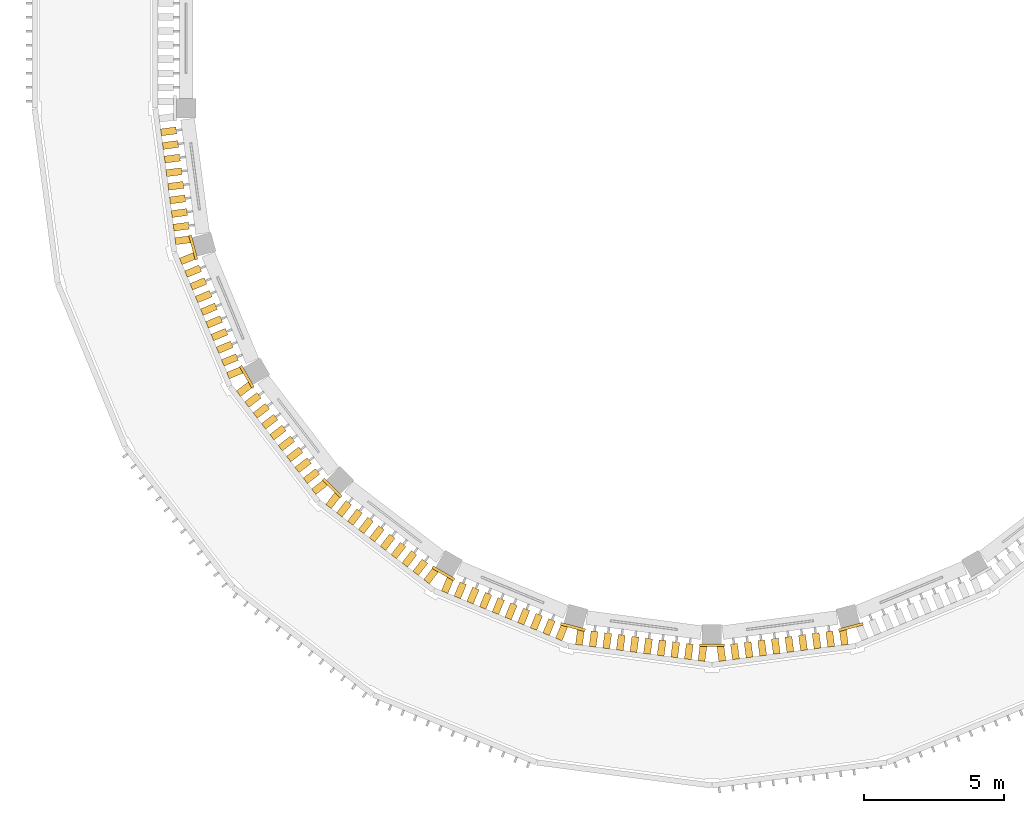
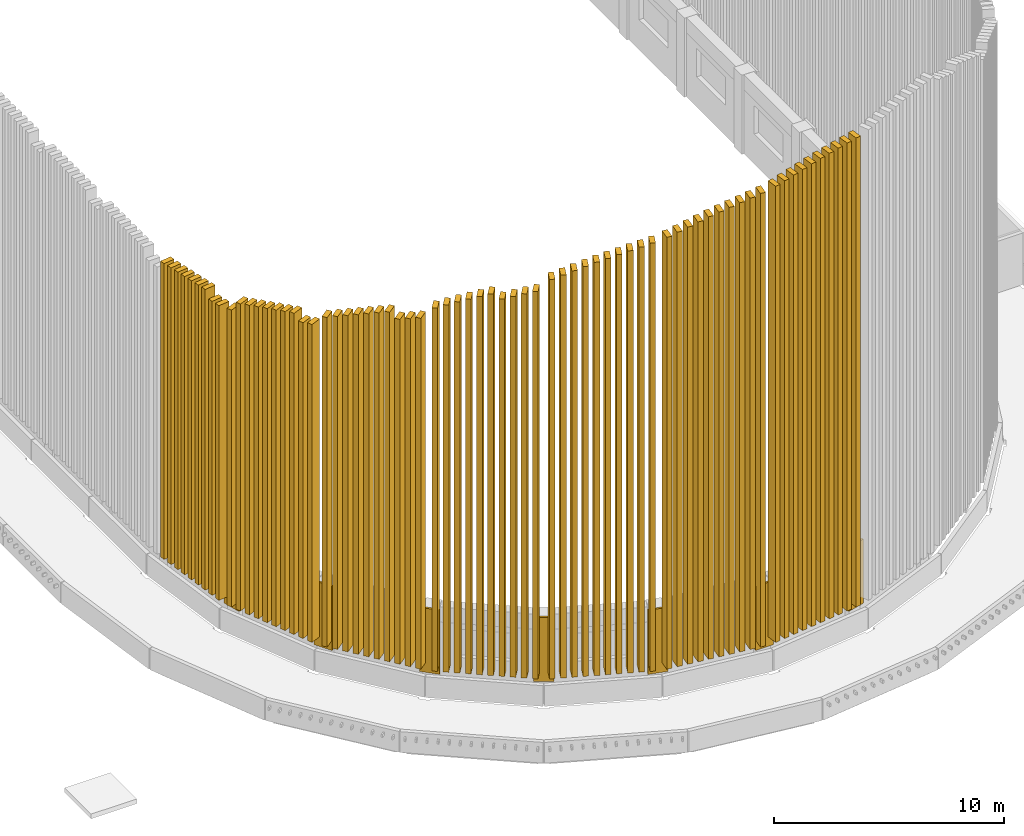
# One storey, part 52 of 68: 76 coverings.
"""IFC4 building model written with IfcOpenShell, lengths in metres."""

from ifc_helpers import new_model, si_unit, direction, frame, origin, origin_2d, place, context, subcontext, project, spatial, rectangle, extrude, material, layer, layer_set, type_object, element, save


model = new_model("IFC4")

# Units and contexts
model_context = context("Model", 3, precision=1e-05, world=origin(), true_north=direction((0.0, 1.0)))
body_context = subcontext(model_context, "Body", "Model", "MODEL_VIEW")
ifc_project = project(units=[si_unit("LENGTHUNIT", "METRE"), si_unit("AREAUNIT", "SQUARE_METRE"), si_unit("VOLUMEUNIT", "CUBIC_METRE"), si_unit("PLANEANGLEUNIT", "RADIAN"), si_unit("MASSUNIT", "GRAM", prefix="KILO")], contexts=[model_context])

# Site, building, storey
site_placement = place(None, origin())
site = spatial("IfcSite", under=ifc_project, at=site_placement, CompositionType="ELEMENT")
building_placement = place(site_placement, origin())
building = spatial("IfcBuilding", under=site, at=building_placement, Name="Wasatch Bagh Community Centre", CompositionType="ELEMENT")
storey_placement = place(building_placement, frame((0.0, 0.0, 8.39990234375)))
storey = spatial("IfcBuildingStorey", under=building, at=storey_placement, Name="L02", CompositionType="ELEMENT", Elevation=8.39990234375)

# Coverings
ifc_material = material(Name="White precast concrete C40/50", Category="concrete")
ifc_layer_1 = layer(ifc_material, 0.10009765625)
ifc_layer_set_1 = layer_set([ifc_layer_1], Name="White precast concrete C40/50")
covering_type_1 = type_object("IfcCoveringType", Name="MH column casing", PredefinedType="CLADDING", material=ifc_layer_set_1)
for number, where, z_axis, x_axis, name in (
    (1, (17.50244140625, 30.043701171875, 0.800048828125), (0.0, 0.0, 1.0), (0.258819045103, -0.965925826289, 0.0), "Column casing S1 L02"),
    (2, (19.41552734375, 25.425048828125, 0.800048828125), (0.0, 0.0, 1.0), (0.5, -0.866025403784, 0.0), "Column casing S2 L02"),
    (3, (22.458984375, 21.458984375, 0.800048828125), (0.0, 0.0, 1.0), (0.707106781187, -0.707106781187, 0.0), "Column casing S3 L02"),
    (4, (26.425048828125, 18.41552734375, 0.800048828125), (0.0, 0.0, 1.0), (0.866025403784, -0.5, 0.0), "Column casing S4 L02"),
    (5, (31.043701171875, 16.50244140625, 0.800048828125), (0.0, 0.0, 1.0), (0.965925826289, -0.258819045103, 0.0), "Column casing S5 L02"),
    (6, (36.0, 15.85009765625, 0.800048828125), (0.0, 0.0, 1.0), (1.0, 0.0, 0.0), "Column casing S6 L02"),
    (7, (40.956298828125, 16.50244140625, 0.800048828125), (0.0, 0.0, 1.0), (0.965925826289, 0.258819045103, 0.0), "Column casing S7 L02"),
):
    element("IfcCovering", number, at=place(storey_placement, frame(where, z_axis=z_axis, x_axis=x_axis)), inside=storey, type_object=covering_type_1, Name=name, PredefinedType="CLADDING", context=body_context, shape_type="SweptSolid", body=[
        extrude(rectangle(XDim=0.89990234375, YDim=0.10009765625, at=origin_2d()), origin(), (0.0, 0.0, 1.0), 3.39990234375),
    ])
ifc_layer_2 = layer(ifc_material, 0.25)
ifc_layer_set_2 = layer_set([ifc_layer_2], Name="White precast concrete C40/50")
covering_type_2 = type_object("IfcCoveringType", Name="MH vertical fin", PredefinedType="CLADDING", material=ifc_layer_set_2)
covering_1_placement = place(storey_placement, frame((16.626953125, 34.177490234375, 1.300048828125), z_axis=(0.0, 0.0, 1.0), x_axis=(0.13052619222, -0.991444861374, 0.0)))
element("IfcCovering", 8, at=covering_1_placement, inside=storey, type_object=covering_type_2, Name="Fin 1.2", PredefinedType="CLADDING", context=body_context, shape_type="SweptSolid", body=[
    extrude(rectangle(XDim=0.25, YDim=0.550048828125, at=origin_2d()), origin(), (0.0, 0.0, 1.0), 15.701171875),
])
covering_2_placement = place(storey_placement, frame((16.69091796875, 33.692138671875, 1.300048828125), z_axis=(0.0, 0.0, 1.0), x_axis=(0.13052619222, -0.991444861374, 0.0)))
element("IfcCovering", 9, at=covering_2_placement, inside=storey, type_object=covering_type_2, Name="Fin 1.3", PredefinedType="CLADDING", context=body_context, shape_type="SweptSolid", body=[
    extrude(rectangle(XDim=0.25, YDim=0.550048828125, at=origin_2d()), origin(), (0.0, 0.0, 1.0), 15.744140625),
])
covering_3_placement = place(storey_placement, frame((16.7548828125, 33.206787109375, 1.30029296875), z_axis=(0.0, 0.0, 1.0), x_axis=(0.13052619222, -0.991444861374, 0.0)))
element("IfcCovering", 10, at=covering_3_placement, inside=storey, type_object=covering_type_2, Name="Fin 1.4", PredefinedType="CLADDING", context=body_context, shape_type="SweptSolid", body=[
    extrude(rectangle(XDim=0.25, YDim=0.550048828125, at=origin_2d()), origin(), (0.0, 0.0, 1.0), 15.787353515625),
])
covering_4_placement = place(storey_placement, frame((16.818603515625, 32.7216796875, 1.300048828125), z_axis=(0.0, 0.0, 1.0), x_axis=(0.13052619222, -0.991444861374, 0.0)))
element("IfcCovering", 11, at=covering_4_placement, inside=storey, type_object=covering_type_2, Name="Fin 1.5", PredefinedType="CLADDING", context=body_context, shape_type="SweptSolid", body=[
    extrude(rectangle(XDim=0.25, YDim=0.550048828125, at=origin_2d()), origin(), (0.0, 0.0, 1.0), 15.83056640625),
])
covering_5_placement = place(storey_placement, frame((16.882568359375, 32.236328125, 1.300048828125), z_axis=(0.0, 0.0, 1.0), x_axis=(0.13052619222, -0.991444861374, 0.0)))
element("IfcCovering", 12, at=covering_5_placement, inside=storey, type_object=covering_type_2, Name="Fin 1.6", PredefinedType="CLADDING", context=body_context, shape_type="SweptSolid", body=[
    extrude(rectangle(XDim=0.25, YDim=0.550048828125, at=origin_2d()), origin(), (0.0, 0.0, 1.0), 15.87353515625),
])
covering_6_placement = place(storey_placement, frame((16.946533203125, 31.7509765625, 1.30029296875), z_axis=(0.0, 0.0, 1.0), x_axis=(0.13052619222, -0.991444861374, 0.0)))
element("IfcCovering", 13, at=covering_6_placement, inside=storey, type_object=covering_type_2, Name="Fin 1.7", PredefinedType="CLADDING", context=body_context, shape_type="SweptSolid", body=[
    extrude(rectangle(XDim=0.25, YDim=0.550048828125, at=origin_2d()), origin(), (0.0, 0.0, 1.0), 15.916748046875),
])
covering_7_placement = place(storey_placement, frame((17.01025390625, 31.265625, 1.300048828125), z_axis=(0.0, 0.0, 1.0), x_axis=(0.13052619222, -0.991444861374, 0.0)))
element("IfcCovering", 14, at=covering_7_placement, inside=storey, type_object=covering_type_2, Name="Fin 1.8", PredefinedType="CLADDING", context=body_context, shape_type="SweptSolid", body=[
    extrude(rectangle(XDim=0.25, YDim=0.550048828125, at=origin_2d()), origin(), (0.0, 0.0, 1.0), 15.9599609375),
])
covering_8_placement = place(storey_placement, frame((17.07421875, 30.780517578125, 1.30029296875), z_axis=(0.0, 0.0, 1.0), x_axis=(0.13052619222, -0.991444861374, 0.0)))
element("IfcCovering", 15, at=covering_8_placement, inside=storey, type_object=covering_type_2, Name="Fin 1.9", PredefinedType="CLADDING", context=body_context, shape_type="SweptSolid", body=[
    extrude(rectangle(XDim=0.25, YDim=0.550048828125, at=origin_2d()), origin(), (0.0, 0.0, 1.0), 15.597412109375),
])
covering_9_placement = place(storey_placement, frame((17.13818359375, 30.295166015625, 1.300048828125), z_axis=(0.0, 0.0, 1.0), x_axis=(0.13052619222, -0.991444861374, 0.0)))
element("IfcCovering", 16, at=covering_9_placement, inside=storey, type_object=covering_type_2, Name="Fin 1.10", PredefinedType="CLADDING", context=body_context, shape_type="SweptSolid", body=[
    extrude(rectangle(XDim=0.25, YDim=0.550048828125, at=origin_2d()), origin(), (0.0, 0.0, 1.0), 15.640625),
])
covering_10_placement = place(storey_placement, frame((17.312744140625, 29.6435546875, 1.2998046875), z_axis=(0.0, 0.0, 1.0), x_axis=(0.382683432365, -0.923879532511, 0.0)))
element("IfcCovering", 17, at=covering_10_placement, inside=storey, type_object=covering_type_2, Name="Fin 2.1", PredefinedType="CLADDING", context=body_context, shape_type="SweptSolid", body=[
    extrude(rectangle(XDim=0.25, YDim=0.550048828125, at=origin_2d()), origin(), (0.0, 0.0, 1.0), 15.758544921875),
])
covering_11_placement = place(storey_placement, frame((17.5, 29.19140625, 1.300048828125), z_axis=(0.0, 0.0, 1.0), x_axis=(0.382683432365, -0.923879532511, 0.0)))
element("IfcCovering", 18, at=covering_11_placement, inside=storey, type_object=covering_type_2, Name="Fin 2.2", PredefinedType="CLADDING", context=body_context, shape_type="SweptSolid", body=[
    extrude(rectangle(XDim=0.25, YDim=0.550048828125, at=origin_2d()), origin(), (0.0, 0.0, 1.0), 16.29052734375),
])
covering_12_placement = place(storey_placement, frame((17.687255859375, 28.7392578125, 1.300048828125), z_axis=(0.0, 0.0, 1.0), x_axis=(0.382683432365, -0.923879532511, 0.0)))
element("IfcCovering", 19, at=covering_12_placement, inside=storey, type_object=covering_type_2, Name="Fin 2.3", PredefinedType="CLADDING", context=body_context, shape_type="SweptSolid", body=[
    extrude(rectangle(XDim=0.25, YDim=0.550048828125, at=origin_2d()), origin(), (0.0, 0.0, 1.0), 16.4169921875),
])
covering_13_placement = place(storey_placement, frame((17.874755859375, 28.286865234375, 1.300048828125), z_axis=(0.0, 0.0, 1.0), x_axis=(0.382683432365, -0.923879532511, 0.0)))
element("IfcCovering", 20, at=covering_13_placement, inside=storey, type_object=covering_type_2, Name="Fin 2.4", PredefinedType="CLADDING", context=body_context, shape_type="SweptSolid", body=[
    extrude(rectangle(XDim=0.25, YDim=0.550048828125, at=origin_2d()), origin(), (0.0, 0.0, 1.0), 16.54345703125),
])
covering_14_placement = place(storey_placement, frame((18.06201171875, 27.834716796875, 1.300048828125), z_axis=(0.0, 0.0, 1.0), x_axis=(0.382683432365, -0.923879532511, 0.0)))
element("IfcCovering", 21, at=covering_14_placement, inside=storey, type_object=covering_type_2, Name="Fin 2.5", PredefinedType="CLADDING", context=body_context, shape_type="SweptSolid", body=[
    extrude(rectangle(XDim=0.25, YDim=0.550048828125, at=origin_2d()), origin(), (0.0, 0.0, 1.0), 16.669921875),
])
covering_15_placement = place(storey_placement, frame((18.249267578125, 27.382568359375, 1.300048828125), z_axis=(0.0, 0.0, 1.0), x_axis=(0.382683432365, -0.923879532511, 0.0)))
element("IfcCovering", 22, at=covering_15_placement, inside=storey, type_object=covering_type_2, Name="Fin 2.6", PredefinedType="CLADDING", context=body_context, shape_type="SweptSolid", body=[
    extrude(rectangle(XDim=0.25, YDim=0.550048828125, at=origin_2d()), origin(), (0.0, 0.0, 1.0), 16.79638671875),
])
covering_16_placement = place(storey_placement, frame((18.4365234375, 26.930419921875, 1.300048828125), z_axis=(0.0, 0.0, 1.0), x_axis=(0.382683432365, -0.923879532511, 0.0)))
element("IfcCovering", 23, at=covering_16_placement, inside=storey, type_object=covering_type_2, Name="Fin 2.7", PredefinedType="CLADDING", context=body_context, shape_type="SweptSolid", body=[
    extrude(rectangle(XDim=0.25, YDim=0.550048828125, at=origin_2d()), origin(), (0.0, 0.0, 1.0), 16.9228515625),
])
covering_17_placement = place(storey_placement, frame((18.6240234375, 26.47802734375, 1.300048828125), z_axis=(0.0, 0.0, 1.0), x_axis=(0.382683432365, -0.923879532511, 0.0)))
element("IfcCovering", 24, at=covering_17_placement, inside=storey, type_object=covering_type_2, Name="Fin 2.8", PredefinedType="CLADDING", context=body_context, shape_type="SweptSolid", body=[
    extrude(rectangle(XDim=0.25, YDim=0.550048828125, at=origin_2d()), origin(), (0.0, 0.0, 1.0), 17.04931640625),
])
covering_18_placement = place(storey_placement, frame((18.811279296875, 26.02587890625, 1.300048828125), z_axis=(0.0, 0.0, 1.0), x_axis=(0.382683432365, -0.923879532511, 0.0)))
element("IfcCovering", 25, at=covering_18_placement, inside=storey, type_object=covering_type_2, Name="Fin 2.9", PredefinedType="CLADDING", context=body_context, shape_type="SweptSolid", body=[
    extrude(rectangle(XDim=0.25, YDim=0.550048828125, at=origin_2d()), origin(), (0.0, 0.0, 1.0), 16.76025390625),
])
covering_19_placement = place(storey_placement, frame((18.99853515625, 25.57373046875, 1.300048828125), z_axis=(0.0, 0.0, 1.0), x_axis=(0.382683432365, -0.923879532511, 0.0)))
element("IfcCovering", 26, at=covering_19_placement, inside=storey, type_object=covering_type_2, Name="Fin 2.10", PredefinedType="CLADDING", context=body_context, shape_type="SweptSolid", body=[
    extrude(rectangle(XDim=0.25, YDim=0.550048828125, at=origin_2d()), origin(), (0.0, 0.0, 1.0), 16.873046875),
])
covering_20_placement = place(storey_placement, frame((19.3359375, 24.989501953125, 1.300048828125), z_axis=(0.0, 0.0, 1.0), x_axis=(0.608761429009, -0.793353340291, 0.0)))
element("IfcCovering", 27, at=covering_20_placement, inside=storey, type_object=covering_type_2, Name="Fin 3.1", PredefinedType="CLADDING", context=body_context, shape_type="SweptSolid", body=[
    extrude(rectangle(XDim=0.25, YDim=0.550048828125, at=origin_2d()), origin(), (0.0, 0.0, 1.0), 17.48193359375),
])
covering_21_placement = place(storey_placement, frame((19.6337890625, 24.60107421875, 1.30029296875), z_axis=(0.0, 0.0, 1.0), x_axis=(0.608761429009, -0.793353340291, 0.0)))
element("IfcCovering", 28, at=covering_21_placement, inside=storey, type_object=covering_type_2, Name="Fin 3.2", PredefinedType="CLADDING", context=body_context, shape_type="SweptSolid", body=[
    extrude(rectangle(XDim=0.25, YDim=0.550048828125, at=origin_2d()), origin(), (0.0, 0.0, 1.0), 17.661376953125),
])
covering_22_placement = place(storey_placement, frame((19.931884765625, 24.212890625, 1.300048828125), z_axis=(0.0, 0.0, 1.0), x_axis=(0.608761429009, -0.793353340291, 0.0)))
element("IfcCovering", 29, at=covering_22_placement, inside=storey, type_object=covering_type_2, Name="Fin 3.3", PredefinedType="CLADDING", context=body_context, shape_type="SweptSolid", body=[
    extrude(rectangle(XDim=0.25, YDim=0.550048828125, at=origin_2d()), origin(), (0.0, 0.0, 1.0), 17.8408203125),
])
covering_23_placement = place(storey_placement, frame((20.229736328125, 23.824462890625, 1.300048828125), z_axis=(0.0, 0.0, 1.0), x_axis=(0.608761429009, -0.793353340291, 0.0)))
element("IfcCovering", 30, at=covering_23_placement, inside=storey, type_object=covering_type_2, Name="Fin 3.4", PredefinedType="CLADDING", context=body_context, shape_type="SweptSolid", body=[
    extrude(rectangle(XDim=0.25, YDim=0.550048828125, at=origin_2d()), origin(), (0.0, 0.0, 1.0), 18.0205078125),
])
covering_24_placement = place(storey_placement, frame((20.52783203125, 23.436279296875, 1.30029296875), z_axis=(0.0, 0.0, 1.0), x_axis=(0.608761429009, -0.793353340291, 0.0)))
element("IfcCovering", 31, at=covering_24_placement, inside=storey, type_object=covering_type_2, Name="Fin 3.5", PredefinedType="CLADDING", context=body_context, shape_type="SweptSolid", body=[
    extrude(rectangle(XDim=0.25, YDim=0.550048828125, at=origin_2d()), origin(), (0.0, 0.0, 1.0), 18.199951171875),
])
covering_25_placement = place(storey_placement, frame((20.82568359375, 23.0478515625, 1.300048828125), z_axis=(0.0, 0.0, 1.0), x_axis=(0.608761429009, -0.793353340291, 0.0)))
element("IfcCovering", 32, at=covering_25_placement, inside=storey, type_object=covering_type_2, Name="Fin 3.6", PredefinedType="CLADDING", context=body_context, shape_type="SweptSolid", body=[
    extrude(rectangle(XDim=0.25, YDim=0.550048828125, at=origin_2d()), origin(), (0.0, 0.0, 1.0), 18.37939453125),
])
covering_26_placement = place(storey_placement, frame((21.123779296875, 22.659423828125, 1.300048828125), z_axis=(0.0, 0.0, 1.0), x_axis=(0.608761429009, -0.793353340291, 0.0)))
element("IfcCovering", 33, at=covering_26_placement, inside=storey, type_object=covering_type_2, Name="Fin 3.7", PredefinedType="CLADDING", context=body_context, shape_type="SweptSolid", body=[
    extrude(rectangle(XDim=0.25, YDim=0.550048828125, at=origin_2d()), origin(), (0.0, 0.0, 1.0), 18.548828125),
])
covering_27_placement = place(storey_placement, frame((21.421630859375, 22.271240234375, 1.300048828125), z_axis=(0.0, 0.0, 1.0), x_axis=(0.608761429009, -0.793353340291, 0.0)))
element("IfcCovering", 34, at=covering_27_placement, inside=storey, type_object=covering_type_2, Name="Fin 3.8", PredefinedType="CLADDING", context=body_context, shape_type="SweptSolid", body=[
    extrude(rectangle(XDim=0.25, YDim=0.550048828125, at=origin_2d()), origin(), (0.0, 0.0, 1.0), 18.30224609375),
])
covering_28_placement = place(storey_placement, frame((21.7197265625, 21.8828125, 1.300048828125), z_axis=(0.0, 0.0, 1.0), x_axis=(0.608761429009, -0.793353340291, 0.0)))
element("IfcCovering", 35, at=covering_28_placement, inside=storey, type_object=covering_type_2, Name="Fin 3.9", PredefinedType="CLADDING", context=body_context, shape_type="SweptSolid", body=[
    extrude(rectangle(XDim=0.25, YDim=0.550048828125, at=origin_2d()), origin(), (0.0, 0.0, 1.0), 18.46142578125),
])
covering_29_placement = place(storey_placement, frame((22.017578125, 21.49462890625, 1.300048828125), z_axis=(0.0, 0.0, 1.0), x_axis=(0.608761429009, -0.793353340291, 0.0)))
element("IfcCovering", 36, at=covering_29_placement, inside=storey, type_object=covering_type_2, Name="Fin 3.10", PredefinedType="CLADDING", context=body_context, shape_type="SweptSolid", body=[
    extrude(rectangle(XDim=0.25, YDim=0.550048828125, at=origin_2d()), origin(), (0.0, 0.0, 1.0), 18.62060546875),
])
covering_30_placement = place(storey_placement, frame((22.49462890625, 21.017578125, 1.30029296875), z_axis=(0.0, 0.0, 1.0), x_axis=(0.793353340291, -0.608761429009, 0.0)))
element("IfcCovering", 37, at=covering_30_placement, inside=storey, type_object=covering_type_2, Name="Fin 4.1", PredefinedType="CLADDING", context=body_context, shape_type="SweptSolid", body=[
    extrude(rectangle(XDim=0.25, YDim=0.550048828125, at=origin_2d()), origin(), (0.0, 0.0, 1.0), 19.281005859375),
])
covering_31_placement = place(storey_placement, frame((22.8828125, 20.7197265625, 1.30029296875), z_axis=(0.0, 0.0, 1.0), x_axis=(0.793353340291, -0.608761429009, 0.0)))
element("IfcCovering", 38, at=covering_31_placement, inside=storey, type_object=covering_type_2, Name="Fin 4.2", PredefinedType="CLADDING", context=body_context, shape_type="SweptSolid", body=[
    extrude(rectangle(XDim=0.25, YDim=0.550048828125, at=origin_2d()), origin(), (0.0, 0.0, 1.0), 19.488525390625),
])
covering_32_placement = place(storey_placement, frame((23.271240234375, 20.421630859375, 1.300048828125), z_axis=(0.0, 0.0, 1.0), x_axis=(0.793353340291, -0.608761429009, 0.0)))
element("IfcCovering", 39, at=covering_32_placement, inside=storey, type_object=covering_type_2, Name="Fin 4.3", PredefinedType="CLADDING", context=body_context, shape_type="SweptSolid", body=[
    extrude(rectangle(XDim=0.25, YDim=0.550048828125, at=origin_2d()), origin(), (0.0, 0.0, 1.0), 19.69580078125),
])
covering_33_placement = place(storey_placement, frame((23.659423828125, 20.123779296875, 1.300048828125), z_axis=(0.0, 0.0, 1.0), x_axis=(0.793353340291, -0.608761429009, 0.0)))
element("IfcCovering", 40, at=covering_33_placement, inside=storey, type_object=covering_type_2, Name="Fin 4.4", PredefinedType="CLADDING", context=body_context, shape_type="SweptSolid", body=[
    extrude(rectangle(XDim=0.25, YDim=0.550048828125, at=origin_2d()), origin(), (0.0, 0.0, 1.0), 19.8828125),
])
covering_34_placement = place(storey_placement, frame((24.0478515625, 19.82568359375, 1.30029296875), z_axis=(0.0, 0.0, 1.0), x_axis=(0.793353340291, -0.608761429009, 0.0)))
element("IfcCovering", 41, at=covering_34_placement, inside=storey, type_object=covering_type_2, Name="Fin 4.5", PredefinedType="CLADDING", context=body_context, shape_type="SweptSolid", body=[
    extrude(rectangle(XDim=0.25, YDim=0.550048828125, at=origin_2d()), origin(), (0.0, 0.0, 1.0), 20.065185546875),
])
covering_35_placement = place(storey_placement, frame((24.436279296875, 19.52783203125, 1.300048828125), z_axis=(0.0, 0.0, 1.0), x_axis=(0.793353340291, -0.608761429009, 0.0)))
element("IfcCovering", 42, at=covering_35_placement, inside=storey, type_object=covering_type_2, Name="Fin 4.6", PredefinedType="CLADDING", context=body_context, shape_type="SweptSolid", body=[
    extrude(rectangle(XDim=0.25, YDim=0.550048828125, at=origin_2d()), origin(), (0.0, 0.0, 1.0), 20.24755859375),
])
covering_36_placement = place(storey_placement, frame((24.824462890625, 19.229736328125, 1.30029296875), z_axis=(0.0, 0.0, 1.0), x_axis=(0.793353340291, -0.608761429009, 0.0)))
element("IfcCovering", 43, at=covering_36_placement, inside=storey, type_object=covering_type_2, Name="Fin 4.7", PredefinedType="CLADDING", context=body_context, shape_type="SweptSolid", body=[
    extrude(rectangle(XDim=0.25, YDim=0.550048828125, at=origin_2d()), origin(), (0.0, 0.0, 1.0), 20.024169921875),
])
covering_37_placement = place(storey_placement, frame((25.212890625, 18.931884765625, 1.300048828125), z_axis=(0.0, 0.0, 1.0), x_axis=(0.793353340291, -0.608761429009, 0.0)))
element("IfcCovering", 44, at=covering_37_placement, inside=storey, type_object=covering_type_2, Name="Fin 4.8", PredefinedType="CLADDING", context=body_context, shape_type="SweptSolid", body=[
    extrude(rectangle(XDim=0.25, YDim=0.550048828125, at=origin_2d()), origin(), (0.0, 0.0, 1.0), 20.20654296875),
])
covering_38_placement = place(storey_placement, frame((25.60107421875, 18.6337890625, 1.2998046875), z_axis=(0.0, 0.0, 1.0), x_axis=(0.793353340291, -0.608761429009, 0.0)))
element("IfcCovering", 45, at=covering_38_placement, inside=storey, type_object=covering_type_2, Name="Fin 4.9", PredefinedType="CLADDING", context=body_context, shape_type="SweptSolid", body=[
    extrude(rectangle(XDim=0.25, YDim=0.550048828125, at=origin_2d()), origin(), (0.0, 0.0, 1.0), 20.388916015625),
])
covering_39_placement = place(storey_placement, frame((25.989501953125, 18.3359375, 1.30029296875), z_axis=(0.0, 0.0, 1.0), x_axis=(0.793353340291, -0.608761429009, 0.0)))
element("IfcCovering", 46, at=covering_39_placement, inside=storey, type_object=covering_type_2, Name="Fin 4.10", PredefinedType="CLADDING", context=body_context, shape_type="SweptSolid", body=[
    extrude(rectangle(XDim=0.25, YDim=0.550048828125, at=origin_2d()), origin(), (0.0, 0.0, 1.0), 20.557861328125),
])
covering_40_placement = place(storey_placement, frame((26.57373046875, 17.99853515625, 1.300048828125), z_axis=(0.0, 0.0, 1.0), x_axis=(0.923879532511, -0.382683432365, 0.0)))
element("IfcCovering", 47, at=covering_40_placement, inside=storey, type_object=covering_type_2, Name="Fin 5.1", PredefinedType="CLADDING", context=body_context, shape_type="SweptSolid", body=[
    extrude(rectangle(XDim=0.25, YDim=0.550048828125, at=origin_2d()), origin(), (0.0, 0.0, 1.0), 21.20166015625),
])
covering_41_placement = place(storey_placement, frame((27.02587890625, 17.811279296875, 1.300048828125), z_axis=(0.0, 0.0, 1.0), x_axis=(0.923879532511, -0.382683432365, 0.0)))
element("IfcCovering", 48, at=covering_41_placement, inside=storey, type_object=covering_type_2, Name="Fin 5.2", PredefinedType="CLADDING", context=body_context, shape_type="SweptSolid", body=[
    extrude(rectangle(XDim=0.25, YDim=0.550048828125, at=origin_2d()), origin(), (0.0, 0.0, 1.0), 21.38623046875),
])
covering_42_placement = place(storey_placement, frame((27.47802734375, 17.6240234375, 1.30029296875), z_axis=(0.0, 0.0, 1.0), x_axis=(0.923879532511, -0.382683432365, 0.0)))
element("IfcCovering", 49, at=covering_42_placement, inside=storey, type_object=covering_type_2, Name="Fin 5.3", PredefinedType="CLADDING", context=body_context, shape_type="SweptSolid", body=[
    extrude(rectangle(XDim=0.25, YDim=0.550048828125, at=origin_2d()), origin(), (0.0, 0.0, 1.0), 21.570556640625),
])
covering_43_placement = place(storey_placement, frame((27.930419921875, 17.4365234375, 1.30029296875), z_axis=(0.0, 0.0, 1.0), x_axis=(0.923879532511, -0.382683432365, 0.0)))
element("IfcCovering", 50, at=covering_43_placement, inside=storey, type_object=covering_type_2, Name="Fin 5.4", PredefinedType="CLADDING", context=body_context, shape_type="SweptSolid", body=[
    extrude(rectangle(XDim=0.25, YDim=0.550048828125, at=origin_2d()), origin(), (0.0, 0.0, 1.0), 21.755126953125),
])
covering_44_placement = place(storey_placement, frame((28.382568359375, 17.249267578125, 1.30029296875), z_axis=(0.0, 0.0, 1.0), x_axis=(0.923879532511, -0.382683432365, 0.0)))
element("IfcCovering", 51, at=covering_44_placement, inside=storey, type_object=covering_type_2, Name="Fin 5.5", PredefinedType="CLADDING", context=body_context, shape_type="SweptSolid", body=[
    extrude(rectangle(XDim=0.25, YDim=0.550048828125, at=origin_2d()), origin(), (0.0, 0.0, 1.0), 21.932373046875),
])
covering_45_placement = place(storey_placement, frame((28.834716796875, 17.06201171875, 1.30029296875), z_axis=(0.0, 0.0, 1.0), x_axis=(0.923879532511, -0.382683432365, 0.0)))
element("IfcCovering", 52, at=covering_45_placement, inside=storey, type_object=covering_type_2, Name="Fin 5.6", PredefinedType="CLADDING", context=body_context, shape_type="SweptSolid", body=[
    extrude(rectangle(XDim=0.25, YDim=0.550048828125, at=origin_2d()), origin(), (0.0, 0.0, 1.0), 22.090087890625),
])
covering_46_placement = place(storey_placement, frame((29.286865234375, 16.874755859375, 1.30029296875), z_axis=(0.0, 0.0, 1.0), x_axis=(0.923879532511, -0.382683432365, 0.0)))
element("IfcCovering", 53, at=covering_46_placement, inside=storey, type_object=covering_type_2, Name="Fin 5.7", PredefinedType="CLADDING", context=body_context, shape_type="SweptSolid", body=[
    extrude(rectangle(XDim=0.25, YDim=0.550048828125, at=origin_2d()), origin(), (0.0, 0.0, 1.0), 22.247802734375),
])
covering_47_placement = place(storey_placement, frame((29.7392578125, 16.687255859375, 1.30029296875), z_axis=(0.0, 0.0, 1.0), x_axis=(0.923879532511, -0.382683432365, 0.0)))
element("IfcCovering", 54, at=covering_47_placement, inside=storey, type_object=covering_type_2, Name="Fin 5.8", PredefinedType="CLADDING", context=body_context, shape_type="SweptSolid", body=[
    extrude(rectangle(XDim=0.25, YDim=0.550048828125, at=origin_2d()), origin(), (0.0, 0.0, 1.0), 22.405517578125),
])
covering_48_placement = place(storey_placement, frame((30.19140625, 16.5, 1.30029296875), z_axis=(0.0, 0.0, 1.0), x_axis=(0.923879532511, -0.382683432365, 0.0)))
element("IfcCovering", 55, at=covering_48_placement, inside=storey, type_object=covering_type_2, Name="Fin 5.9", PredefinedType="CLADDING", context=body_context, shape_type="SweptSolid", body=[
    extrude(rectangle(XDim=0.25, YDim=0.550048828125, at=origin_2d()), origin(), (0.0, 0.0, 1.0), 22.563232421875),
])
covering_49_placement = place(storey_placement, frame((30.6435546875, 16.312744140625, 1.300048828125), z_axis=(0.0, 0.0, 1.0), x_axis=(0.923879532511, -0.382683432365, 0.0)))
element("IfcCovering", 56, at=covering_49_placement, inside=storey, type_object=covering_type_2, Name="Fin 5.10", PredefinedType="CLADDING", context=body_context, shape_type="SweptSolid", body=[
    extrude(rectangle(XDim=0.25, YDim=0.550048828125, at=origin_2d()), origin(), (0.0, 0.0, 1.0), 22.72119140625),
])
covering_50_placement = place(storey_placement, frame((31.295166015625, 16.13818359375, 1.300048828125), z_axis=(0.0, 0.0, 1.0), x_axis=(0.991444861374, -0.13052619222, 0.0)))
element("IfcCovering", 57, at=covering_50_placement, inside=storey, type_object=covering_type_2, Name="Fin 6.1", PredefinedType="CLADDING", context=body_context, shape_type="SweptSolid", body=[
    extrude(rectangle(XDim=0.25, YDim=0.550048828125, at=origin_2d()), origin(), (0.0, 0.0, 1.0), 22.919921875),
])
covering_51_placement = place(storey_placement, frame((31.780517578125, 16.07421875, 1.300048828125), z_axis=(0.0, 0.0, 1.0), x_axis=(0.991444861374, -0.13052619222, 0.0)))
element("IfcCovering", 58, at=covering_51_placement, inside=storey, type_object=covering_type_2, Name="Fin 6.2", PredefinedType="CLADDING", context=body_context, shape_type="SweptSolid", body=[
    extrude(rectangle(XDim=0.25, YDim=0.550048828125, at=origin_2d()), origin(), (0.0, 0.0, 1.0), 23.0615234375),
])
covering_52_placement = place(storey_placement, frame((32.265625, 16.01025390625, 1.300048828125), z_axis=(0.0, 0.0, 1.0), x_axis=(0.991444861374, -0.13052619222, 0.0)))
element("IfcCovering", 59, at=covering_52_placement, inside=storey, type_object=covering_type_2, Name="Fin 6.3", PredefinedType="CLADDING", context=body_context, shape_type="SweptSolid", body=[
    extrude(rectangle(XDim=0.25, YDim=0.550048828125, at=origin_2d()), origin(), (0.0, 0.0, 1.0), 23.203125),
])
covering_53_placement = place(storey_placement, frame((32.7509765625, 15.946533203125, 1.30029296875), z_axis=(0.0, 0.0, 1.0), x_axis=(0.991444861374, -0.13052619222, 0.0)))
element("IfcCovering", 60, at=covering_53_placement, inside=storey, type_object=covering_type_2, Name="Fin 6.4", PredefinedType="CLADDING", context=body_context, shape_type="SweptSolid", body=[
    extrude(rectangle(XDim=0.25, YDim=0.550048828125, at=origin_2d()), origin(), (0.0, 0.0, 1.0), 23.344970703125),
])
covering_54_placement = place(storey_placement, frame((33.236328125, 15.882568359375, 1.30029296875), z_axis=(0.0, 0.0, 1.0), x_axis=(0.991444861374, -0.13052619222, 0.0)))
element("IfcCovering", 61, at=covering_54_placement, inside=storey, type_object=covering_type_2, Name="Fin 6.5", PredefinedType="CLADDING", context=body_context, shape_type="SweptSolid", body=[
    extrude(rectangle(XDim=0.25, YDim=0.550048828125, at=origin_2d()), origin(), (0.0, 0.0, 1.0), 23.486572265625),
])
covering_55_placement = place(storey_placement, frame((33.7216796875, 15.818603515625, 1.300048828125), z_axis=(0.0, 0.0, 1.0), x_axis=(0.991444861374, -0.13052619222, 0.0)))
element("IfcCovering", 62, at=covering_55_placement, inside=storey, type_object=covering_type_2, Name="Fin 6.6", PredefinedType="CLADDING", context=body_context, shape_type="SweptSolid", body=[
    extrude(rectangle(XDim=0.25, YDim=0.550048828125, at=origin_2d()), origin(), (0.0, 0.0, 1.0), 23.60888671875),
])
covering_56_placement = place(storey_placement, frame((34.206787109375, 15.7548828125, 1.2998046875), z_axis=(0.0, 0.0, 1.0), x_axis=(0.991444861374, -0.13052619222, 0.0)))
element("IfcCovering", 63, at=covering_56_placement, inside=storey, type_object=covering_type_2, Name="Fin 6.7", PredefinedType="CLADDING", context=body_context, shape_type="SweptSolid", body=[
    extrude(rectangle(XDim=0.25, YDim=0.550048828125, at=origin_2d()), origin(), (0.0, 0.0, 1.0), 23.723876953125),
])
covering_57_placement = place(storey_placement, frame((34.692138671875, 15.69091796875, 1.30029296875), z_axis=(0.0, 0.0, 1.0), x_axis=(0.991444861374, -0.13052619222, 0.0)))
element("IfcCovering", 64, at=covering_57_placement, inside=storey, type_object=covering_type_2, Name="Fin 6.8", PredefinedType="CLADDING", context=body_context, shape_type="SweptSolid", body=[
    extrude(rectangle(XDim=0.25, YDim=0.550048828125, at=origin_2d()), origin(), (0.0, 0.0, 1.0), 23.838623046875),
])
covering_58_placement = place(storey_placement, frame((35.177490234375, 15.626953125, 1.30029296875), z_axis=(0.0, 0.0, 1.0), x_axis=(0.991444861374, -0.13052619222, 0.0)))
element("IfcCovering", 65, at=covering_58_placement, inside=storey, type_object=covering_type_2, Name="Fin 6.9", PredefinedType="CLADDING", context=body_context, shape_type="SweptSolid", body=[
    extrude(rectangle(XDim=0.25, YDim=0.550048828125, at=origin_2d()), origin(), (0.0, 0.0, 1.0), 23.953369140625),
])
covering_59_placement = place(storey_placement, frame((35.662841796875, 15.563232421875, 1.300048828125), z_axis=(0.0, 0.0, 1.0), x_axis=(0.991444861374, -0.13052619222, 0.0)))
element("IfcCovering", 66, at=covering_59_placement, inside=storey, type_object=covering_type_2, Name="Fin 6.10", PredefinedType="CLADDING", context=body_context, shape_type="SweptSolid", body=[
    extrude(rectangle(XDim=0.25, YDim=0.550048828125, at=origin_2d()), origin(), (0.0, 0.0, 1.0), 24.068359375),
])
covering_60_placement = place(storey_placement, frame((36.337158203125, 15.563232421875, 1.300048828125), z_axis=(0.0, 0.0, 1.0), x_axis=(0.991444861374, 0.13052619222, 0.0)))
element("IfcCovering", 67, at=covering_60_placement, inside=storey, type_object=covering_type_2, Name="Fin 7.1", PredefinedType="CLADDING", context=body_context, shape_type="SweptSolid", body=[
    extrude(rectangle(XDim=0.25, YDim=0.550048828125, at=origin_2d()), origin(), (0.0, 0.0, 1.0), 24.208984375),
])
covering_61_placement = place(storey_placement, frame((36.822509765625, 15.626953125, 1.30029296875), z_axis=(0.0, 0.0, 1.0), x_axis=(0.991444861374, 0.13052619222, 0.0)))
element("IfcCovering", 68, at=covering_61_placement, inside=storey, type_object=covering_type_2, Name="Fin 7.2", PredefinedType="CLADDING", context=body_context, shape_type="SweptSolid", body=[
    extrude(rectangle(XDim=0.25, YDim=0.550048828125, at=origin_2d()), origin(), (0.0, 0.0, 1.0), 24.297607421875),
])
covering_62_placement = place(storey_placement, frame((37.307861328125, 15.69091796875, 1.300048828125), z_axis=(0.0, 0.0, 1.0), x_axis=(0.991444861374, 0.13052619222, 0.0)))
element("IfcCovering", 69, at=covering_62_placement, inside=storey, type_object=covering_type_2, Name="Fin 7.3", PredefinedType="CLADDING", context=body_context, shape_type="SweptSolid", body=[
    extrude(rectangle(XDim=0.25, YDim=0.550048828125, at=origin_2d()), origin(), (0.0, 0.0, 1.0), 24.38623046875),
])
covering_63_placement = place(storey_placement, frame((37.793212890625, 15.7548828125, 1.300048828125), z_axis=(0.0, 0.0, 1.0), x_axis=(0.991444861374, 0.13052619222, 0.0)))
element("IfcCovering", 70, at=covering_63_placement, inside=storey, type_object=covering_type_2, Name="Fin 7.4", PredefinedType="CLADDING", context=body_context, shape_type="SweptSolid", body=[
    extrude(rectangle(XDim=0.25, YDim=0.550048828125, at=origin_2d()), origin(), (0.0, 0.0, 1.0), 24.47509765625),
])
covering_64_placement = place(storey_placement, frame((38.2783203125, 15.818603515625, 1.30029296875), z_axis=(0.0, 0.0, 1.0), x_axis=(0.991444861374, 0.13052619222, 0.0)))
element("IfcCovering", 71, at=covering_64_placement, inside=storey, type_object=covering_type_2, Name="Fin 7.5", PredefinedType="CLADDING", context=body_context, shape_type="SweptSolid", body=[
    extrude(rectangle(XDim=0.25, YDim=0.550048828125, at=origin_2d()), origin(), (0.0, 0.0, 1.0), 24.563720703125),
])
covering_65_placement = place(storey_placement, frame((38.763671875, 15.882568359375, 1.300048828125), z_axis=(0.0, 0.0, 1.0), x_axis=(0.991444861374, 0.13052619222, 0.0)))
element("IfcCovering", 72, at=covering_65_placement, inside=storey, type_object=covering_type_2, Name="Fin 7.6", PredefinedType="CLADDING", context=body_context, shape_type="SweptSolid", body=[
    extrude(rectangle(XDim=0.25, YDim=0.550048828125, at=origin_2d()), origin(), (0.0, 0.0, 1.0), 24.64501953125),
])
covering_66_placement = place(storey_placement, frame((39.2490234375, 15.946533203125, 1.300048828125), z_axis=(0.0, 0.0, 1.0), x_axis=(0.991444861374, 0.13052619222, 0.0)))
element("IfcCovering", 73, at=covering_66_placement, inside=storey, type_object=covering_type_2, Name="Fin 7.7", PredefinedType="CLADDING", context=body_context, shape_type="SweptSolid", body=[
    extrude(rectangle(XDim=0.25, YDim=0.550048828125, at=origin_2d()), origin(), (0.0, 0.0, 1.0), 24.7080078125),
])
covering_67_placement = place(storey_placement, frame((39.734375, 16.01025390625, 1.300048828125), z_axis=(0.0, 0.0, 1.0), x_axis=(0.991444861374, 0.13052619222, 0.0)))
element("IfcCovering", 74, at=covering_67_placement, inside=storey, type_object=covering_type_2, Name="Fin 7.8", PredefinedType="CLADDING", context=body_context, shape_type="SweptSolid", body=[
    extrude(rectangle(XDim=0.25, YDim=0.550048828125, at=origin_2d()), origin(), (0.0, 0.0, 1.0), 24.77099609375),
])
covering_68_placement = place(storey_placement, frame((40.219482421875, 16.07421875, 1.300048828125), z_axis=(0.0, 0.0, 1.0), x_axis=(0.991444861374, 0.13052619222, 0.0)))
element("IfcCovering", 75, at=covering_68_placement, inside=storey, type_object=covering_type_2, Name="Fin 7.9", PredefinedType="CLADDING", context=body_context, shape_type="SweptSolid", body=[
    extrude(rectangle(XDim=0.25, YDim=0.550048828125, at=origin_2d()), origin(), (0.0, 0.0, 1.0), 24.833984375),
])
covering_69_placement = place(storey_placement, frame((40.704833984375, 16.13818359375, 1.300048828125), z_axis=(0.0, 0.0, 1.0), x_axis=(0.991444861374, 0.13052619222, 0.0)))
element("IfcCovering", 76, at=covering_69_placement, inside=storey, type_object=covering_type_2, Name="Fin 7.10", PredefinedType="CLADDING", context=body_context, shape_type="SweptSolid", body=[
    extrude(rectangle(XDim=0.25, YDim=0.550048828125, at=origin_2d()), origin(), (0.0, 0.0, 1.0), 24.89697265625),
])

save(model, "model.ifc")
